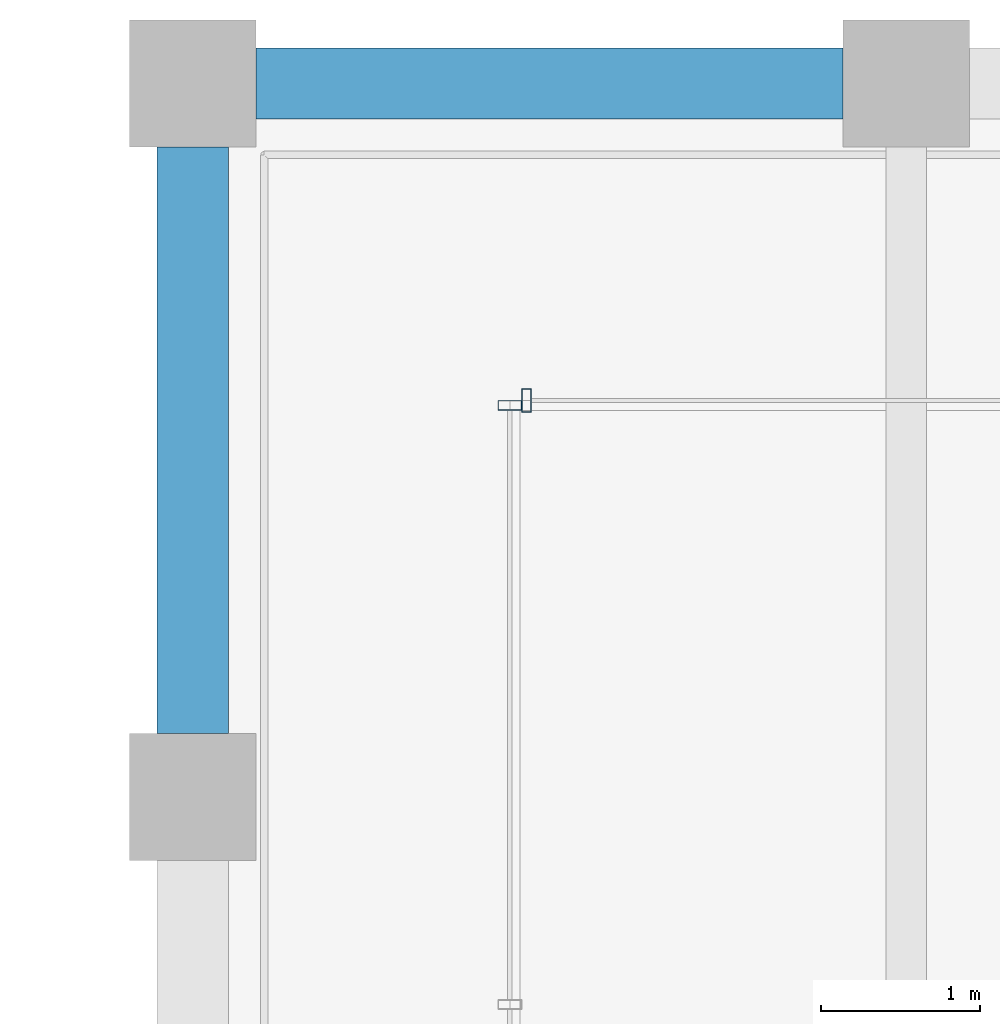
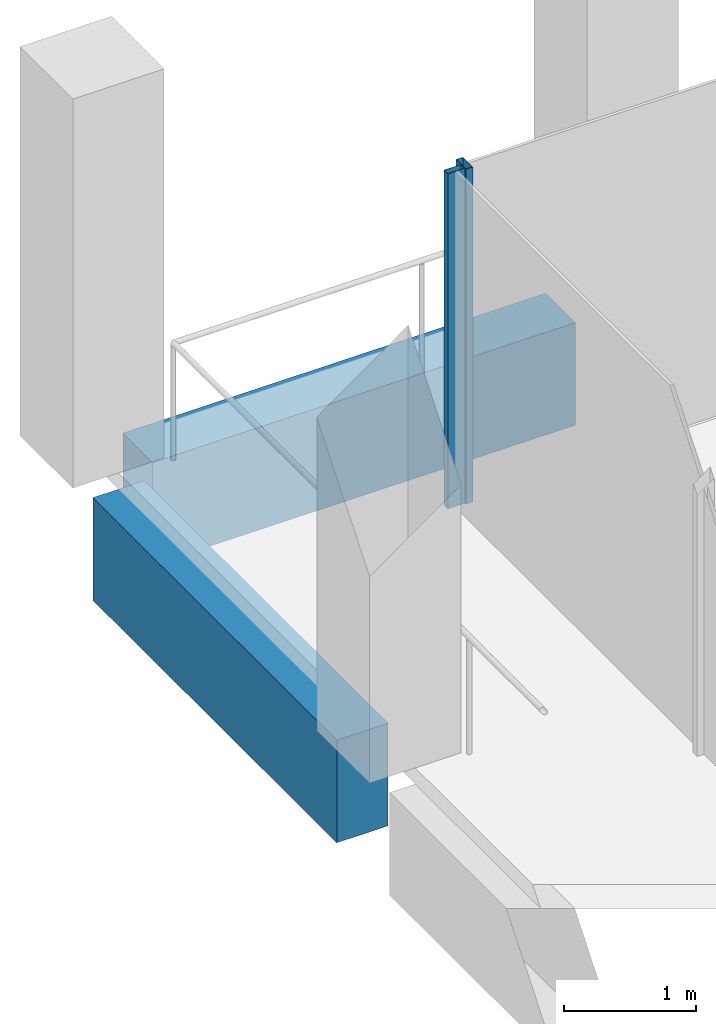
# One storey, part 21 of 30: 2 beams, 2 members, 2 elements without a shape of their own.
"""IFC4 building model written with IfcOpenShell, lengths in metres."""

from ifc_helpers import new_model, si_unit, direction, frame, origin, origin_2d, place, context, subcontext, project, spatial, rectangle, hollow_rectangle, extrude, material, material_profile, profile_set, type_object, element, aggregate, save


model = new_model("IFC4")

# Units and contexts
model_context = context("Model", 3, precision=1e-05, world=origin(), true_north=direction((0.0, 1.0)))
body_context = subcontext(model_context, "Body", "Model", "MODEL_VIEW")
ifc_project = project(units=[si_unit("LENGTHUNIT", "METRE"), si_unit("AREAUNIT", "SQUARE_METRE"), si_unit("VOLUMEUNIT", "CUBIC_METRE"), si_unit("PLANEANGLEUNIT", "RADIAN"), si_unit("MASSUNIT", "GRAM", prefix="KILO")], contexts=[model_context])

# Site, building, storey
site_placement = place(None, origin())
site = spatial("IfcSite", under=ifc_project, at=site_placement, CompositionType="ELEMENT")
building_placement = place(site_placement, origin())
building = spatial("IfcBuilding", under=site, at=building_placement, Name="Altepetl Exchange Towers", CompositionType="ELEMENT")
storey_placement = place(building_placement, frame((0.0, 0.0, 235.199951171875)))
storey = spatial("IfcBuildingStorey", under=building, at=storey_placement, Name="L60", CompositionType="ELEMENT", Elevation=235.199951171875)

# Curtain wall, member
ifc_material_1 = material(Name="Aluminium 6063-T6 glazing", Category="aluminium")
curtain_wall_type = type_object("IfcCurtainWallType", Name="Loggia glazing system", PredefinedType="NOTDEFINED", material=ifc_material_1)
curtain_wall_1_placement = place(storey_placement, origin())
curtain_wall_1 = element("IfcCurtainWall", 1, at=curtain_wall_1_placement, inside=storey, type_object=curtain_wall_type, Name="CW1 run", PredefinedType="NOTDEFINED")
ifc_material_2 = material(Name="Aluminium 6063-T6", Category="aluminium")
ifc_material_profile_1 = material_profile(ifc_material_2, hollow_rectangle(XDim=0.06005859375, YDim=0.14990234375, WallThickness=0.0029296875, at=origin_2d()), Name="Mullion 60x150 aluminium")
ifc_profile_set_1 = profile_set([ifc_material_profile_1], Name="Aluminium 6063-T6")
member_type = type_object("IfcMemberType", Name="Mullion 60x150 aluminium", PredefinedType="MULLION", material=ifc_profile_set_1)
member_1_placement = place(storey_placement, frame((42.60498046875, 70.0, 0.0), z_axis=(0.0, 0.0, 1.0), x_axis=(-1.0, 0.0, 0.0)))
member_1 = element("IfcMember", 2, at=member_1_placement, type_object=member_type, Name="MU1 mullion", PredefinedType="MULLION", context=body_context, shape_type="SweptSolid", body=[
    extrude(hollow_rectangle(XDim=0.06005859375, YDim=0.14990234375, WallThickness=0.0029296875, at=origin_2d()), origin(), (0.0, 0.0, 1.0), 3.10009765625),
])
aggregate(curtain_wall_1, [member_1])

curtain_wall_2_placement = place(storey_placement, origin())
curtain_wall_2 = element("IfcCurtainWall", 3, at=curtain_wall_2_placement, inside=storey, type_object=curtain_wall_type, Name="CW1 run", PredefinedType="NOTDEFINED")
member_2_placement = place(storey_placement, frame((42.5, 69.969970703125, 0.0), z_axis=(0.0, 0.0, 1.0), x_axis=(0.0, -1.0, 0.0)))
member_2 = element("IfcMember", 4, at=member_2_placement, type_object=member_type, Name="MU1 mullion", PredefinedType="MULLION", context=body_context, shape_type="SweptSolid", body=[
    extrude(hollow_rectangle(XDim=0.06005859375, YDim=0.14990234375, WallThickness=0.0029296875, at=origin_2d()), origin(), (0.0, 0.0, 1.0), 3.10009765625),
])
aggregate(curtain_wall_2, [member_2])

# Beams
ifc_material_3 = material(Name="Concrete C50/60 precast with cantera rosa facing", Category="concrete")
ifc_material_profile_2 = material_profile(ifc_material_3, rectangle(XDim=0.449951171875, YDim=0.949951171875, at=origin_2d()), Name="450 x 950")
ifc_profile_set_2 = profile_set([ifc_material_profile_2], Name="Concrete C50/60 precast with cantera rosa facing")
beam_type_1 = type_object("IfcBeamType", Name="Spandrel beam 450x950 cantera rosa", PredefinedType="SPANDREL", material=ifc_profile_set_2)
beam_1_placement = place(storey_placement, frame((44.60009765625, 72.0, -0.625), z_axis=(-1.0, 0.0, 0.0), x_axis=(0.0, -1.0, 0.0)))
element("IfcBeam", 5, at=beam_1_placement, inside=storey, type_object=beam_type_1, Name="sp:A:L60:029", PredefinedType="SPANDREL", context=body_context, shape_type="SweptSolid", body=[
    extrude(rectangle(XDim=0.449951171875, YDim=0.949951171875, at=origin_2d()), origin(), (0.0, 0.0, 1.0), 3.7001953125),
])
ifc_material_4 = material(Name="Concrete C50/60 precast with tezontle facing", Category="concrete")
ifc_material_profile_3 = material_profile(ifc_material_4, rectangle(XDim=0.449951171875, YDim=0.949951171875, at=origin_2d()), Name="450 x 950")
ifc_profile_set_3 = profile_set([ifc_material_profile_3], Name="Concrete C50/60 precast with tezontle facing")
beam_type_2 = type_object("IfcBeamType", Name="Spandrel beam 450x950 tezontle", PredefinedType="SPANDREL", material=ifc_profile_set_3)
beam_2_placement = place(storey_placement, frame((40.5, 71.60009765625, -0.625), z_axis=(0.0, -1.0, 0.0), x_axis=(1.0, 0.0, 0.0)))
element("IfcBeam", 6, at=beam_2_placement, inside=storey, type_object=beam_type_2, Name="sp:A:L60:030", PredefinedType="SPANDREL", context=body_context, shape_type="SweptSolid", body=[
    extrude(rectangle(XDim=0.449951171875, YDim=0.949951171875, at=origin_2d()), origin(), (0.0, 0.0, 1.0), 3.7001953125),
])

save(model, "model.ifc")
